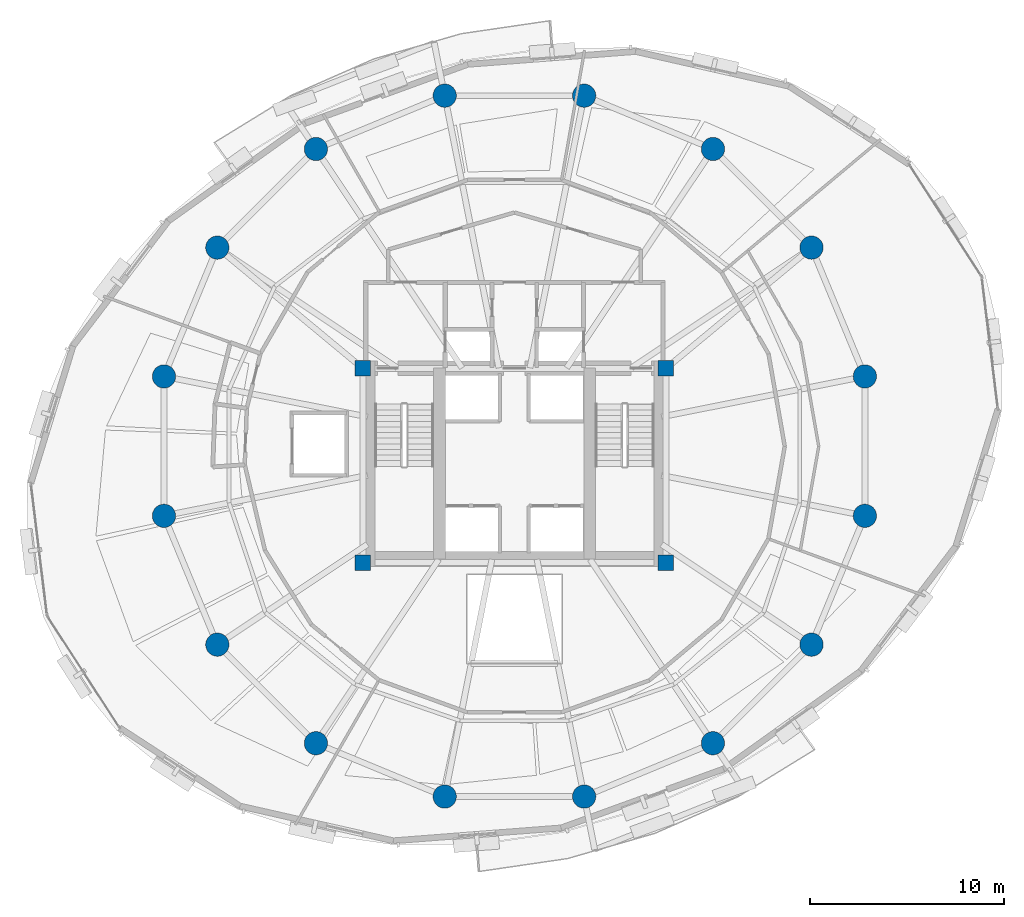
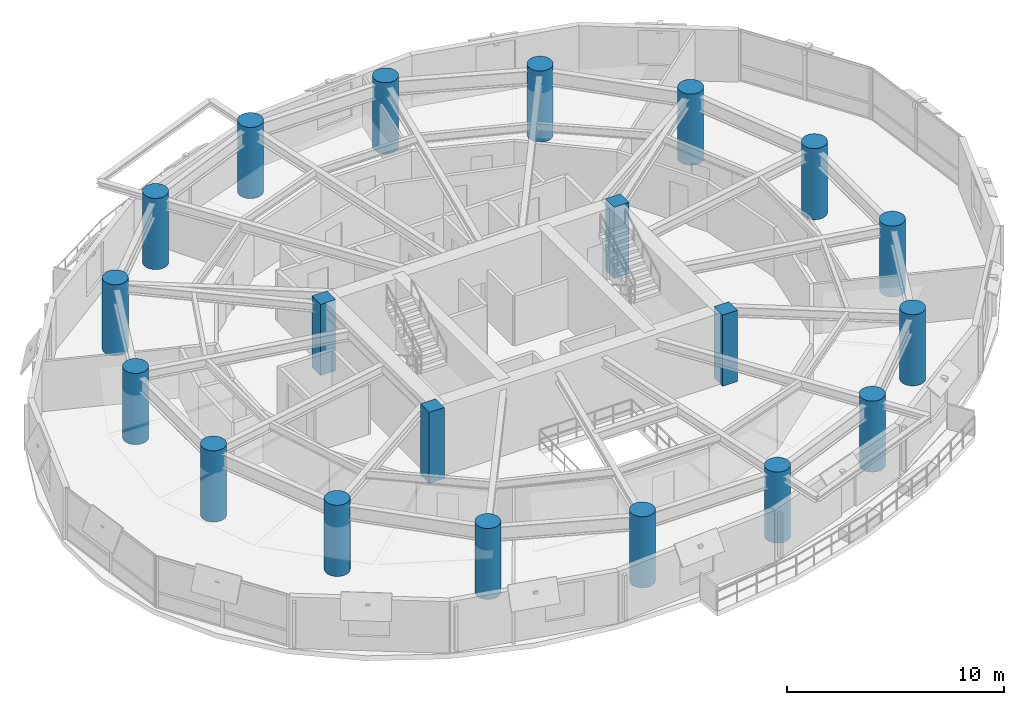
# One storey, part 1 of 15: 20 columns.
"""IFC4 building model written with IfcOpenShell, lengths in metres."""

from ifc_helpers import new_model, si_unit, direction, frame, origin, origin_2d, place, context, subcontext, project, spatial, rectangle, circle, extrude, material, material_profile, profile_set, type_object, element, save


model = new_model("IFC4")

# Units and contexts
model_context = context("Model", 3, precision=1e-05, world=origin(), true_north=direction((0.0, 1.0)))
body_context = subcontext(model_context, "Body", "Model", "MODEL_VIEW")
ifc_project = project(units=[si_unit("LENGTHUNIT", "METRE"), si_unit("AREAUNIT", "SQUARE_METRE"), si_unit("VOLUMEUNIT", "CUBIC_METRE"), si_unit("PLANEANGLEUNIT", "RADIAN"), si_unit("MASSUNIT", "GRAM", prefix="KILO"), si_unit("THERMODYNAMICTEMPERATUREUNIT", "KELVIN"), si_unit("POWERUNIT", "WATT")], contexts=[model_context])

# Site, building, storey
site_placement = place(None, origin())
site = spatial("IfcSite", under=ifc_project, at=site_placement, CompositionType="ELEMENT")
building_placement = place(site_placement, origin())
building = spatial("IfcBuilding", under=site, at=building_placement, Name="Ocrelia Relay Tower", CompositionType="ELEMENT")
storey_placement = place(building_placement, frame((0.0, 0.0, 117.800048828125)))
storey = spatial("IfcBuildingStorey", under=building, at=storey_placement, Name="L27", CompositionType="ELEMENT", Elevation=117.800048828125)

# Columns
ifc_material = material(Name="Concrete C60/75", Category="concrete")
ifc_material_profile_1 = material_profile(ifc_material, circle(Radius=0.60009765625, at=origin_2d()), Name="RC-CIR-1200")
ifc_profile_set_1 = profile_set([ifc_material_profile_1], Name="Concrete C60/75")
column_type_1 = type_object("IfcColumnType", Name="COL-CT-1200", PredefinedType="COLUMN", material=ifc_profile_set_1)
for number, where, z_axis, x_axis, name in (
    (1, (52.04638671875, 29.589599609375, 0.0), (0.0, 0.0, 1.0), (1.0, 0.0, 0.0), "L27 Perimeter Ring Column C01"),
    (2, (49.299072265625, 36.222412109375, 0.0), (0.0, 0.0, 1.0), (1.0, 0.0, 0.0), "L27 Perimeter Ring Column C02"),
    (3, (44.222412109375, 41.299072265625, 0.0), (0.0, 0.0, 1.0), (1.0, 0.0, 0.0), "L27 Perimeter Ring Column C03"),
    (4, (37.589599609375, 44.04638671875, 0.0), (0.0, 0.0, 1.0), (1.0, 0.0, 0.0), "L27 Perimeter Ring Column C04"),
    (5, (30.410400390625, 44.04638671875, 0.0), (0.0, 0.0, 1.0), (1.0, 0.0, 0.0), "L27 Perimeter Ring Column C05"),
    (6, (23.777587890625, 41.299072265625, 0.0), (0.0, 0.0, 1.0), (1.0, 0.0, 0.0), "L27 Perimeter Ring Column C06"),
    (7, (18.700927734375, 36.222412109375, 0.0), (0.0, 0.0, 1.0), (1.0, 0.0, 0.0), "L27 Perimeter Ring Column C07"),
    (8, (15.95361328125, 29.589599609375, 0.0), (0.0, 0.0, 1.0), (1.0, 0.0, 0.0), "L27 Perimeter Ring Column C08"),
    (9, (15.95361328125, 22.410400390625, 0.0), (0.0, 0.0, 1.0), (1.0, 0.0, 0.0), "L27 Perimeter Ring Column C09"),
    (10, (18.700927734375, 15.777587890625, 0.0), (0.0, 0.0, 1.0), (1.0, 0.0, 0.0), "L27 Perimeter Ring Column C10"),
    (11, (23.777587890625, 10.700927734375, 0.0), (0.0, 0.0, 1.0), (1.0, 0.0, 0.0), "L27 Perimeter Ring Column C11"),
    (12, (30.410400390625, 7.95361328125, 0.0), (0.0, 0.0, 1.0), (1.0, 0.0, 0.0), "L27 Perimeter Ring Column C12"),
    (13, (37.589599609375, 7.95361328125, 0.0), (0.0, 0.0, 1.0), (1.0, 0.0, 0.0), "L27 Perimeter Ring Column C13"),
    (14, (44.222412109375, 10.700927734375, 0.0), (0.0, 0.0, 1.0), (1.0, 0.0, 0.0), "L27 Perimeter Ring Column C14"),
    (15, (49.299072265625, 15.777587890625, 0.0), (0.0, 0.0, 1.0), (1.0, 0.0, 0.0), "L27 Perimeter Ring Column C15"),
    (16, (52.04638671875, 22.410400390625, 0.0), (0.0, 0.0, 1.0), (1.0, 0.0, 0.0), "L27 Perimeter Ring Column C16"),
):
    element("IfcColumn", number, at=place(storey_placement, frame(where, z_axis=z_axis, x_axis=x_axis)), inside=storey, type_object=column_type_1, Name=name, PredefinedType="COLUMN", context=body_context, shape_type="SweptSolid", body=[
        extrude(circle(Radius=0.60009765625, at=origin_2d()), origin(), (0.0, 0.0, 1.0), 4.0),
    ])
ifc_material_profile_2 = material_profile(ifc_material, rectangle(XDim=0.800048828125, YDim=0.800048828125, at=origin_2d()), Name="RC-COL-800x800")
ifc_profile_set_2 = profile_set([ifc_material_profile_2], Name="Concrete C60/75")
column_type_2 = type_object("IfcColumnType", Name="COL-PILASTER-800", PredefinedType="PILASTER", material=ifc_profile_set_2)
for number, where, z_axis, x_axis, name in (
    (17, (26.199951171875, 20.0, 0.0), (0.0, 0.0, 1.0), (1.0, 0.0, 0.0), "L27 Core Corner Pilaster SW"),
    (18, (41.800048828125, 20.0, 0.0), (0.0, 0.0, 1.0), (1.0, 0.0, 0.0), "L27 Core Corner Pilaster SE"),
    (19, (26.199951171875, 30.0, 0.0), (0.0, 0.0, 1.0), (1.0, 0.0, 0.0), "L27 Core Corner Pilaster NW"),
    (20, (41.800048828125, 30.0, 0.0), (0.0, 0.0, 1.0), (1.0, 0.0, 0.0), "L27 Core Corner Pilaster NE"),
):
    element("IfcColumn", number, at=place(storey_placement, frame(where, z_axis=z_axis, x_axis=x_axis)), inside=storey, type_object=column_type_2, Name=name, PredefinedType="PILASTER", context=body_context, shape_type="SweptSolid", body=[
        extrude(rectangle(XDim=0.800048828125, YDim=0.800048828125, at=origin_2d()), origin(), (0.0, 0.0, 1.0), 4.0),
    ])

save(model, "model.ifc")
